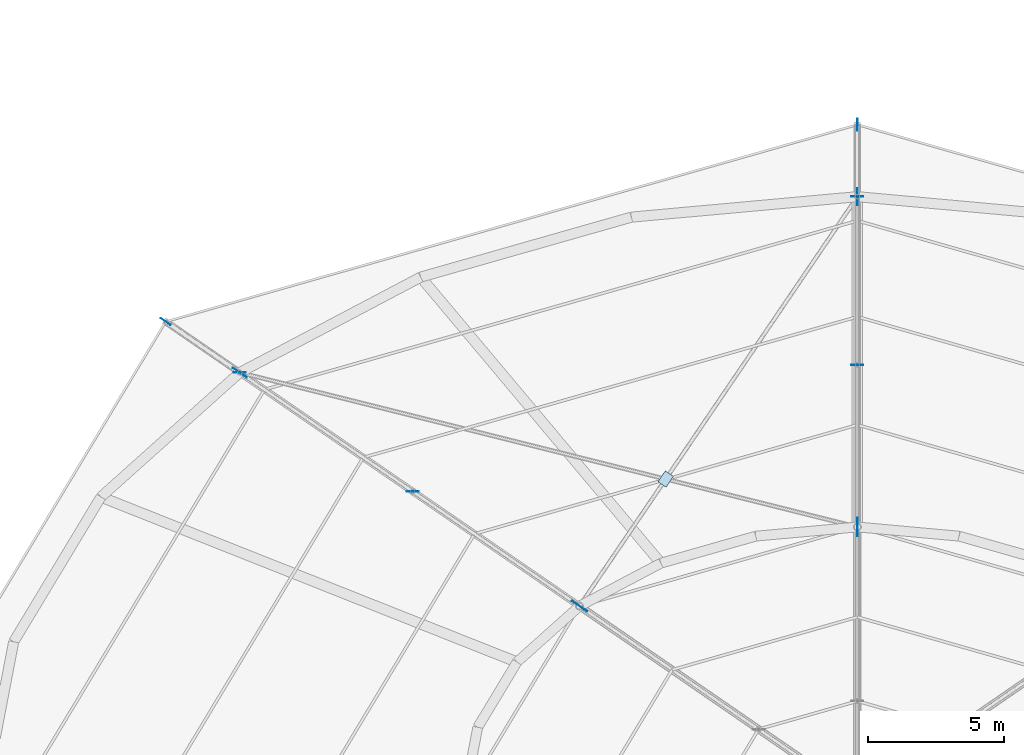
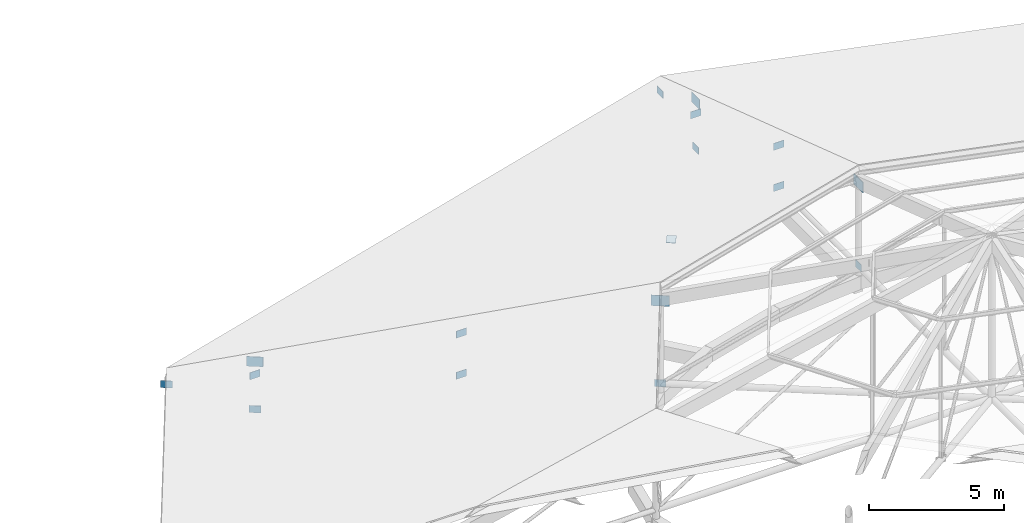
# One storey, part 52 of 66: 17 plates.
"""IFC4 building model written with IfcOpenShell, lengths in metres."""

from ifc_helpers import new_model, si_unit, direction, frame, origin, origin_2d, place, context, subcontext, project, spatial, rectangle, extrude, material, layer, layer_set, type_object, element, save


model = new_model("IFC4")

# Units and contexts
model_context = context("Model", 3, precision=1e-05, world=origin(), true_north=direction((0.0, 1.0)))
body_context = subcontext(model_context, "Body", "Model", "MODEL_VIEW")
ifc_project = project(units=[si_unit("LENGTHUNIT", "METRE"), si_unit("AREAUNIT", "SQUARE_METRE"), si_unit("VOLUMEUNIT", "CUBIC_METRE"), si_unit("PLANEANGLEUNIT", "RADIAN"), si_unit("MASSUNIT", "GRAM", prefix="KILO")], contexts=[model_context])

# Site, building, storey
site_placement = place(None, origin())
site = spatial("IfcSite", under=ifc_project, at=site_placement, CompositionType="ELEMENT")
building_placement = place(site_placement, origin())
building = spatial("IfcBuilding", under=site, at=building_placement, Name="Zornivar Specialist Clinic", CompositionType="ELEMENT")
storey_placement = place(building_placement, frame((0.0, 0.0, 16.0)))
storey = spatial("IfcBuildingStorey", under=building, at=storey_placement, Name="L04", CompositionType="ELEMENT", Elevation=16.0)

# Plates
ifc_material_1 = material(Name="Steel S355J2", Category="steel")
ifc_layer_1 = layer(ifc_material_1, 0.02197265625)
ifc_layer_set_1 = layer_set([ifc_layer_1], Name="Steel S355J2")
plate_type_1 = type_object("IfcPlateType", Name="PL-GUSSET-HEEL-22", PredefinedType="USERDEFINED", material=ifc_layer_set_1)
for number, where, z_axis, x_axis, name in (
    (1, (93.60009765625, 79.60009765625, 0.2900390625), (0.0, 0.0, 1.0), (0.0, 1.0, 0.0), "plate:V1:L04:heel:2"),
    (2, (70.972900390625, 73.156005859375, 0.2900390625), (0.0, 0.0, 1.0), (-0.824042986806, 0.566527277274, 0.0), "plate:V1:L04:heel:3"),
):
    element("IfcPlate", number, at=place(storey_placement, frame(where, z_axis=z_axis, x_axis=x_axis)), inside=storey, type_object=plate_type_1, Name=name, ObjectType="GUSSET PLATE", PredefinedType="USERDEFINED", context=body_context, shape_type="SweptSolid", body=[
        extrude(rectangle(XDim=0.6201171875, YDim=0.02197265625, at=origin_2d()), origin(), (0.0, 0.0, 1.0), 0.43994140625),
    ])
ifc_material_2 = material(Name="Steel S355J2", Category="steel")
ifc_layer_2 = layer(ifc_material_2, 0.02001953125)
ifc_layer_set_2 = layer_set([ifc_layer_2], Name="Steel S355J2")
plate_type_2 = type_object("IfcPlateType", Name="PL-GUSSET-NODE-20", PredefinedType="USERDEFINED", material=ifc_layer_set_2)
plate_placement = place(storey_placement, frame((86.577880859375, 69.2548828125, 2.944091796875), z_axis=(0.0, 0.0, 1.0), x_axis=(0.561650242447, 0.827374767055, 0.0)))
element("IfcPlate", 3, at=plate_placement, inside=storey, type_object=plate_type_2, Name="plate:V1:L04:xcross:2", ObjectType="GUSSET PLATE", PredefinedType="USERDEFINED", context=body_context, shape_type="SweptSolid", body=[
    extrude(rectangle(XDim=0.47998046875, YDim=0.360107421875, at=origin_2d()), origin(), (0.0, 0.0, 1.0), 0.02001953125),
])
ifc_material_3 = material(Name="Steel S355J2", Category="steel")
ifc_layer_3 = layer(ifc_material_3, 0.02392578125)
ifc_layer_set_3 = layer_set([ifc_layer_3], Name="Steel S355J2")
plate_type_3 = type_object("IfcPlateType", Name="PL-GUSSET-RIDGE-24", PredefinedType="USERDEFINED", material=ifc_layer_set_3)
for number, where, z_axis, x_axis, name in (
    (4, (93.60009765625, 67.5, 3.864013671875), (0.0, 0.0, 1.0), (0.0, 1.0, 0.0), "plate:V1:L04:ridge:2"),
    (5, (83.41796875, 64.60009765625, 3.864013671875), (0.0, 0.0, 1.0), (-0.824042986806, 0.566527277274, 0.0), "plate:V1:L04:ridge:3"),
):
    element("IfcPlate", number, at=place(storey_placement, frame(where, z_axis=z_axis, x_axis=x_axis)), inside=storey, type_object=plate_type_3, Name=name, ObjectType="GUSSET PLATE", PredefinedType="USERDEFINED", context=body_context, shape_type="SweptSolid", body=[
        extrude(rectangle(XDim=0.679931640625, YDim=0.02392578125, at=origin_2d()), origin(), (0.0, 0.0, 1.0), 0.47998046875),
    ])
ifc_material_4 = material(Name="Steel S355J2", Category="steel")
ifc_layer_4 = layer(ifc_material_4, 0.01806640625)
ifc_layer_set_4 = layer_set([ifc_layer_4], Name="Steel S355J2")
plate_type_4 = type_object("IfcPlateType", Name="PL-GUSSET-V4-18", PredefinedType="USERDEFINED", material=ifc_layer_set_4)
for number, where, z_axis, x_axis, name in (
    (6, (93.60009765625, 79.60009765625, -0.240234375), (0.0, 0.0, 1.0), (1.0, 0.0, 0.0), "plate:bnode:L04:032"),
    (7, (93.60009765625, 79.60009765625, -1.81005859375), (0.0, 0.0, 1.0), (0.0, 1.0, 0.0), "plate:bnode:L04:033"),
    (8, (93.60009765625, 82.239990234375, -0.86083984375), (0.0, 0.0, 1.0), (0.0, 1.0, 0.0), "plate:bnode:L04:034"),
    (9, (70.972900390625, 73.156005859375, -0.240234375), (0.0, 0.0, 1.0), (1.0, 0.0, 0.0), "plate:bnode:L04:035"),
    (10, (70.972900390625, 73.156005859375, -1.81005859375), (0.0, 0.0, 1.0), (-0.824027319533, 0.566550065452, 0.0), "plate:bnode:L04:036"),
    (11, (68.258056640625, 75.02294921875, -0.86083984375), (0.0, 0.0, 1.0), (-0.824027319533, 0.566550065452, 0.0), "plate:bnode:L04:037"),
    (12, (93.60009765625, 73.43994140625, 0.2001953125), (0.0, 0.0, 1.0), (1.0, 0.0, 0.0), "plate:bnode:L04:061"),
    (13, (93.60009765625, 73.43994140625, 2.06689453125), (0.0, 0.0, 1.0), (1.0, 0.0, 0.0), "plate:bnode:L04:062"),
    (14, (93.60009765625, 67.5, 0.2001953125), (0.0, 0.0, 1.0), (0.0, 1.0, 0.0), "plate:bnode:L04:065"),
    (15, (77.30908203125, 68.800048828125, 0.2001953125), (0.0, 0.0, 1.0), (1.0, 0.0, 0.0), "plate:bnode:L04:066"),
    (16, (77.30908203125, 68.800048828125, 2.06689453125), (0.0, 0.0, 1.0), (1.0, 0.0, 0.0), "plate:bnode:L04:067"),
    (17, (83.41796875, 64.60009765625, 0.2001953125), (0.0, 0.0, 1.0), (-0.824027319533, 0.566550065452, 0.0), "plate:bnode:L04:070"),
):
    element("IfcPlate", number, at=place(storey_placement, frame(where, z_axis=z_axis, x_axis=x_axis)), inside=storey, type_object=plate_type_4, Name=name, ObjectType="GUSSET PLATE", PredefinedType="USERDEFINED", context=body_context, shape_type="SweptSolid", body=[
        extrude(rectangle(XDim=0.43994140625, YDim=0.01806640625, at=origin_2d()), origin(), (0.0, 0.0, 1.0), 0.320068359375),
    ])

save(model, "model.ifc")
